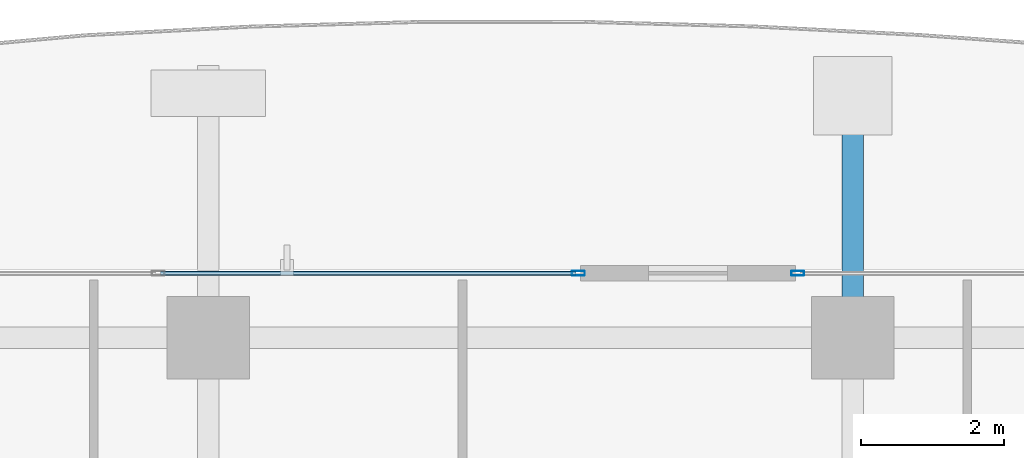
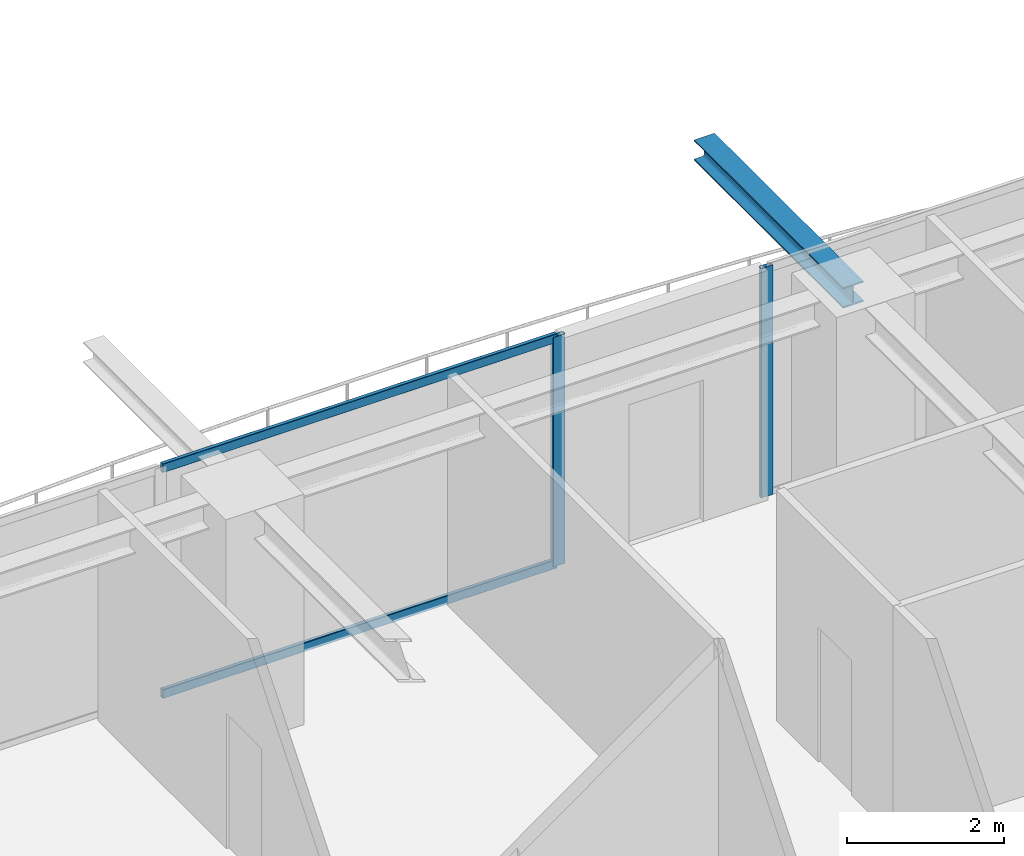
# One storey, part 21 of 38: 4 members, 1 beam, 2 elements without a shape of their own.
"""IFC4 building model written with IfcOpenShell, lengths in metres."""

import ifcopenshell
import ifcopenshell.guid

model = None  # the IFC model being written
_history = None  # IfcOwnerHistory: only IFC2X3 demands one
_inside = {}  # id of a spatial element -> (the spatial element, [elements in it])
_under = {}  # id of a project, library or spatial element -> (it, [spatial elements below it])
_declared = {}  # id of a project -> (the project, [libraries it declares])
_typed = {}  # id of a type object -> (the type object, [elements of that type])
_made_of = {}  # id of a material, layer set ... -> (it, [elements and type objects made of it])


def new_model(schema):
    """Start an empty IFC model of exactly this schema.

    Asked for "IFC4X3", IfcOpenShell would pick the latest addendum, in which some entities
    have other attributes; the version numbers below select the first issue.
    IFC2X3 requires an IfcOwnerHistory on every rooted entity: one is made here for all.
    """
    global model, _history
    if schema == "IFC4X3":
        model = ifcopenshell.file(schema_version=(4, 3, 0, 0))
    else:
        model = ifcopenshell.file(schema=schema)
    _inside.clear()
    _under.clear()
    _declared.clear()
    _typed.clear()
    _made_of.clear()
    _history = None
    if model.schema == "IFC2X3":
        org = make("IfcOrganization", Name="unknown")
        user = make(
            "IfcPersonAndOrganization",
            ThePerson=make("IfcPerson", FamilyName="unknown"),
            TheOrganization=org,
        )
        app = make(
            "IfcApplication",
            ApplicationDeveloper=org,
            Version="unknown",
            ApplicationFullName="unknown",
            ApplicationIdentifier="unknown",
        )
        _history = make(
            "IfcOwnerHistory",
            OwningUser=user,
            OwningApplication=app,
            ChangeAction="ADDED",
            CreationDate=0,
        )
    return model


def make(cls, **values):
    """One entity of the class cls with the attributes given. An attribute that is None is left unset."""
    return model.create_entity(
        cls, **{name: value for name, value in values.items() if value is not None}
    )


def rooted(cls, **values):
    """An entity with a GlobalId (a new one), such as an element, a storey or a relation."""
    return make(cls, GlobalId=ifcopenshell.guid.new(), OwnerHistory=_history, **values)


def si_unit(unit_type, name, prefix=None):
    """IfcSIUnit, for example si_unit("LENGTHUNIT", "METRE", prefix="MILLI")."""
    return make("IfcSIUnit", UnitType=unit_type, Prefix=prefix, Name=name)


def assignment(units):
    """IfcUnitAssignment: the units of a project."""
    return None if units is None else make("IfcUnitAssignment", Units=units)


def point(xyz):
    """IfcCartesianPoint."""
    return None if xyz is None else make("IfcCartesianPoint", Coordinates=xyz)


def direction(xyz):
    """IfcDirection."""
    return None if xyz is None else make("IfcDirection", DirectionRatios=xyz)


def frame(location, z_axis=None, x_axis=None):
    """IfcAxis2Placement3D, a coordinate frame: its origin and axes. An axis left out is left unset."""
    return make(
        "IfcAxis2Placement3D",
        Location=point(location),
        Axis=direction(z_axis),
        RefDirection=direction(x_axis),
    )


def frame_2d(location, x_axis=None):
    """IfcAxis2Placement2D, a coordinate frame in the plane: its origin and x axis."""
    return make(
        "IfcAxis2Placement2D", Location=point(location), RefDirection=direction(x_axis)
    )


def origin():
    """The frame at (0, 0, 0) with its axes left unset."""
    return frame((0.0, 0.0, 0.0))


def origin_2d():
    """The frame at (0, 0) in the plane with its x axis left unset."""
    return frame_2d((0.0, 0.0))


def place(relative_to, where):
    """IfcLocalPlacement: puts the frame where relative to a parent placement (None: the world)."""
    return make(
        "IfcLocalPlacement", PlacementRelTo=relative_to, RelativePlacement=where
    )


def context(
    kind, dimensions, precision=None, world=None, true_north=None, identifier=None
):
    """IfcGeometricRepresentationContext, for example the 3D "Model" context."""
    return make(
        "IfcGeometricRepresentationContext",
        ContextIdentifier=identifier,
        ContextType=kind,
        CoordinateSpaceDimension=dimensions,
        Precision=precision,
        WorldCoordinateSystem=world,
        TrueNorth=true_north,
    )


def subcontext(parent, identifier, kind, view, scale=None):
    """IfcGeometricRepresentationSubContext, for example "Body" below "Model"."""
    return make(
        "IfcGeometricRepresentationSubContext",
        ContextIdentifier=identifier,
        ContextType=kind,
        ParentContext=parent,
        TargetScale=scale,
        TargetView=view,
    )


def project(units=None, contexts=None):
    """IfcProject with its units and contexts."""
    return rooted(
        "IfcProject",
        Name="project",
        RepresentationContexts=contexts,
        UnitsInContext=assignment(units),
    )


def spatial(cls, under=None, at=None, **own):
    """A site, building, storey or space (cls), placed at a placement, below another one or the project."""
    s = rooted(cls, ObjectPlacement=at, **own)
    if under is not None:
        _under.setdefault(under.id(), (under, []))[1].append(s)
    return s


def profile(cls, at=None, kind="AREA", **sizes):
    """A parametric profile (cls). Its sizes go by their IFC names, for example OverallWidth=200.0."""
    return make(cls, ProfileType=kind, Position=at, **sizes)


def hollow_rectangle(**sizes):
    """IfcRectangleHollowProfileDef."""
    return profile("IfcRectangleHollowProfileDef", **sizes)


def i_section(**sizes):
    """IfcIShapeProfileDef."""
    return profile("IfcIShapeProfileDef", **sizes)


def extrude(swept, where, along, depth):
    """IfcExtrudedAreaSolid: the profile swept, set in the frame where, extruded along a direction by depth."""
    return make(
        "IfcExtrudedAreaSolid",
        SweptArea=swept,
        Position=where,
        ExtrudedDirection=direction(along),
        Depth=depth,
    )


def shape(context_of_items, identifier, shape_type, items):
    """IfcShapeRepresentation: the items that make up one representation, for example the "Body"."""
    return make(
        "IfcShapeRepresentation",
        ContextOfItems=context_of_items,
        RepresentationIdentifier=identifier,
        RepresentationType=shape_type,
        Items=items,
    )


def source(mapping_origin, context_of_items, identifier, shape_type, items):
    """IfcRepresentationMap: a shape defined once, which mapped items show again and again."""
    return make(
        "IfcRepresentationMap",
        MappingOrigin=mapping_origin,
        MappedRepresentation=shape(context_of_items, identifier, shape_type, items),
    )


def transform(
    local_origin,
    x_axis=None,
    y_axis=None,
    z_axis=None,
    scale=None,
    scale2=None,
    scale3=None,
    uniform=True,
):
    """IfcCartesianTransformationOperator3D, or its non-uniform kind. x_axis, y_axis, z_axis: its Axis1, 2, 3."""
    if uniform:
        return make(
            "IfcCartesianTransformationOperator3D",
            Axis1=direction(x_axis),
            Axis2=direction(y_axis),
            LocalOrigin=point(local_origin),
            Scale=scale,
            Axis3=direction(z_axis),
        )
    return make(
        "IfcCartesianTransformationOperator3DnonUniform",
        Axis1=direction(x_axis),
        Axis2=direction(y_axis),
        LocalOrigin=point(local_origin),
        Scale=scale,
        Axis3=direction(z_axis),
        Scale2=scale2,
        Scale3=scale3,
    )


def mapped(mapping_source, mapping_target):
    """IfcMappedItem: shows the shape of a source again, moved by a transform."""
    return make(
        "IfcMappedItem", MappingSource=mapping_source, MappingTarget=mapping_target
    )


def material(Name=None, Category=None):
    """IfcMaterial."""
    return make("IfcMaterial", Name=Name, Category=Category)


def layer(
    of_material, thickness, ventilated=None, Name=None, Category=None, Priority=None
):
    """IfcMaterialLayer: one layer of a wall or slab, of a material (None: an air gap)."""
    return make(
        "IfcMaterialLayer",
        Material=of_material,
        LayerThickness=thickness,
        IsVentilated=ventilated,
        Name=Name,
        Category=Category,
        Priority=Priority,
    )


def layer_set(layers, Name=None):
    """IfcMaterialLayerSet."""
    return make("IfcMaterialLayerSet", MaterialLayers=layers, LayerSetName=Name)


def material_profile(
    of_material, cross_section, Name=None, Category=None, Priority=None
):
    """IfcMaterialProfile: a cross section and its material."""
    return make(
        "IfcMaterialProfile",
        Name=Name,
        Material=of_material,
        Profile=cross_section,
        Priority=Priority,
        Category=Category,
    )


def profile_set(profiles, Name=None, composite=None):
    """IfcMaterialProfileSet."""
    return make(
        "IfcMaterialProfileSet",
        Name=Name,
        MaterialProfiles=profiles,
        CompositeProfile=composite,
    )


def made_of(thing, what):
    """Note that an element or type object is made of a material, layer set ...; save() writes the relation."""
    if what is not None:
        _made_of.setdefault(what.id(), (what, []))[1].append(thing)
    return thing


def type_object(cls, material=None, **own):
    """A type object (cls), such as IfcWallType, which elements share."""
    return made_of(rooted(cls, **own), material)


def element(
    cls,
    number,
    at=None,
    inside=None,
    cuts=None,
    type_object=None,
    material=None,
    context=None,
    identifier="Body",
    shape_type=None,
    held_by="IfcProductDefinitionShape",
    body=None,
    shapes=None,
    **own,
):
    """One element of the class cls, such as IfcWall. Its Tag is "e" and its number.

    at: its placement. inside: the storey or other place that contains it. cuts: it is an
    opening in that element (IfcRelVoidsElement). A single representation is given by context,
    identifier, shape_type and body (its items); several are given by shapes. held_by: the class
    of the entity that holds the representations. save() writes the other relations.
    """
    e = rooted(cls, Tag="e%d" % number, ObjectPlacement=at, **own)
    if body is not None:
        shapes = [shape(context, identifier, shape_type, body)]
    if shapes is not None:
        e.Representation = make(held_by, Representations=shapes)
    if inside is not None:
        _inside.setdefault(inside.id(), (inside, []))[1].append(e)
    if cuts is not None:
        rooted(
            "IfcRelVoidsElement", RelatingBuildingElement=cuts, RelatedOpeningElement=e
        )
    if type_object is not None:
        _typed.setdefault(type_object.id(), (type_object, []))[1].append(e)
    return made_of(e, material)


def aggregate(whole, parts):
    """IfcRelAggregates: a whole, such as a stair, and the parts it consists of."""
    return rooted("IfcRelAggregates", RelatingObject=whole, RelatedObjects=parts)


def save(model, path):
    """Write the relations noted so far, then the file.

    IfcRelAggregates (storeys below a building ...), IfcRelContainedInSpatialStructure (elements
    in a storey), IfcRelDefinesByType, IfcRelAssociatesMaterial and IfcRelDeclares: one each for
    every whole, place, type object, material and project.
    """
    for whole, parts in _under.values():
        aggregate(whole, parts)
    for where, things in _inside.values():
        rooted(
            "IfcRelContainedInSpatialStructure",
            RelatedElements=things,
            RelatingStructure=where,
        )
    for kind, things in _typed.values():
        rooted("IfcRelDefinesByType", RelatedObjects=things, RelatingType=kind)
    for what, things in _made_of.values():
        rooted("IfcRelAssociatesMaterial", RelatedObjects=things, RelatingMaterial=what)
    for by, libraries in _declared.values():
        rooted("IfcRelDeclares", RelatingContext=by, RelatedDefinitions=libraries)
    model.write(path)


model = new_model("IFC4")

# Units and contexts
model_context = context("Model", 3, precision=1e-05, world=origin(), true_north=direction((0.0, 1.0)))
body_context = subcontext(model_context, "Body", "Model", "MODEL_VIEW")
ifc_project = project(units=[si_unit("LENGTHUNIT", "METRE"), si_unit("AREAUNIT", "SQUARE_METRE"), si_unit("VOLUMEUNIT", "CUBIC_METRE"), si_unit("PLANEANGLEUNIT", "RADIAN"), si_unit("MASSUNIT", "GRAM", prefix="KILO")], contexts=[model_context])

# Site, building, storey
site_placement = place(None, origin())
site = spatial("IfcSite", under=ifc_project, at=site_placement, CompositionType="ELEMENT")
building_placement = place(site_placement, origin())
building = spatial("IfcBuilding", under=site, at=building_placement, Name="Serunith Strait Residences", CompositionType="ELEMENT")
storey_placement = place(building_placement, frame((0.0, 0.0, 264.35009765625)))
storey = spatial("IfcBuildingStorey", under=building, at=storey_placement, Name="L66", CompositionType="ELEMENT", Elevation=264.35009765625)

# Beam
ifc_material_1 = material(Name="Steel S355J2", Category="steel")
ifc_material_profile_1 = material_profile(ifc_material_1, i_section(OverallWidth=0.300048828125, OverallDepth=0.320068359375, WebThickness=0.011474609375, FlangeThickness=0.0205078125, FilletRadius=0.027099609375, at=origin_2d()), Name="HEB 320")
ifc_profile_set_1 = profile_set([ifc_material_profile_1], Name="Steel S355J2")
beam_type = type_object("IfcBeamType", Name="BM-HEB320", PredefinedType="BEAM", material=ifc_profile_set_1)
shared_shape_1 = source(origin(), body_context, "Body", "SweptSolid", [
    extrude(i_section(OverallWidth=0.300048828125, OverallDepth=0.320068359375, WebThickness=0.011474609375, FlangeThickness=0.0205078125, FilletRadius=0.027099609375, at=origin_2d()), origin(), (0.0, 0.0, 1.0), 3.800048828125),
])
beam_placement = place(storey_placement, frame((36.89990234375, 48.300048828125, 3.39697265625), z_axis=(0.0, 1.0, 0.0), x_axis=(-1.0, 0.0, 0.0)))
element("IfcBeam", 1, at=beam_placement, inside=storey, type_object=beam_type, Name="L67 Cantilevered Balcony Rib TC-N3", PredefinedType="BEAM", context=body_context, shape_type="MappedRepresentation", body=[
    mapped(shared_shape_1, transform((0.0, 0.0, 0.0), scale=1.0)),
])

# Curtain wall, member
ifc_material_2 = material(Name="Pale-Champagne Anodised Aluminium", Category="aluminium")
ifc_layer = layer(ifc_material_2, 0.199951171875, Name="Pale-Champagne Anodised Aluminium")
ifc_layer_set = layer_set([ifc_layer], Name="Pale-Champagne Anodised Aluminium")
curtain_wall_type = type_object("IfcCurtainWallType", Name="CW-SYS4", PredefinedType="NOTDEFINED", material=ifc_layer_set)
curtain_wall_1_placement = place(storey_placement, origin())
curtain_wall_1 = element("IfcCurtainWall", 2, at=curtain_wall_1_placement, inside=storey, type_object=curtain_wall_type, Name="L66 N Unitised Fritted Curtain Wall", PredefinedType="NOTDEFINED")
ifc_material_profile_2 = material_profile(ifc_material_2, hollow_rectangle(XDim=0.06494140625, YDim=0.179931640625, WallThickness=0.00341796875, InnerFilletRadius=0.00537109375, OuterFilletRadius=0.0087890625, at=origin_2d()), Name="ALU 180x65x3.5")
ifc_profile_set_2 = profile_set([ifc_material_profile_2], Name="Pale-Champagne Anodised Aluminium")
member_type_1 = type_object("IfcMemberType", Name="CW-SYS4-MULL", PredefinedType="MULLION", material=ifc_profile_set_2)
shared_shape_2 = source(origin(), body_context, "Body", "SweptSolid", [
    extrude(hollow_rectangle(XDim=0.06494140625, YDim=0.179931640625, WallThickness=0.00341796875, InnerFilletRadius=0.00537109375, OuterFilletRadius=0.0087890625, at=origin_2d()), origin(), (0.0, 0.0, 1.0), 3.574951171875),
])
member_1_placement = place(storey_placement, frame((36.132568359375, 49.199951171875, 0.0), z_axis=(0.0, 0.0, 1.0), x_axis=(0.0, -1.0, 0.0)))
member_1 = element("IfcMember", 3, at=member_1_placement, type_object=member_type_1, Name="CW-4 mullion 3", PredefinedType="MULLION", context=body_context, shape_type="MappedRepresentation", body=[
    mapped(shared_shape_2, transform((0.0, 0.0, 0.0), scale=1.0)),
])
aggregate(curtain_wall_1, [member_1])

# Curtain wall, members
curtain_wall_2_placement = place(storey_placement, origin())
curtain_wall_2 = element("IfcCurtainWall", 4, at=curtain_wall_2_placement, inside=storey, type_object=curtain_wall_type, Name="L66 N Unitised Fritted Curtain Wall", PredefinedType="NOTDEFINED")
member_2_placement = place(storey_placement, frame((33.0673828125, 49.199951171875, 0.0), z_axis=(0.0, 0.0, 1.0), x_axis=(0.0, -1.0, 0.0)))
member_2 = element("IfcMember", 5, at=member_2_placement, type_object=member_type_1, Name="CW-4 mullion 1", PredefinedType="MULLION", context=body_context, shape_type="MappedRepresentation", body=[
    mapped(shared_shape_2, transform((0.0, 0.0, 0.0), scale=1.0)),
])
ifc_material_profile_3 = material_profile(ifc_material_2, hollow_rectangle(XDim=0.06005859375, YDim=0.139892578125, WallThickness=0.00341796875, InnerFilletRadius=0.00537109375, OuterFilletRadius=0.0087890625, at=origin_2d()), Name="ALU 140x60x3.5")
ifc_profile_set_3 = profile_set([ifc_material_profile_3], Name="Pale-Champagne Anodised Aluminium")
member_type_2 = type_object("IfcMemberType", Name="CW-SYS4-TRAN", PredefinedType="USERDEFINED", material=ifc_profile_set_3)
shared_shape_3 = source(origin(), body_context, "Body", "SweptSolid", [
    extrude(hollow_rectangle(XDim=0.06005859375, YDim=0.139892578125, WallThickness=0.00341796875, InnerFilletRadius=0.00537109375, OuterFilletRadius=0.0087890625, at=origin_2d()), origin(), (0.0, 0.0, 1.0), 5.802490234375),
])
member_3_placement = place(storey_placement, frame((33.034912109375, 49.199951171875, 0.02978515625), z_axis=(-1.0, 0.0, 0.0), x_axis=(0.0, -1.0, 0.0)))
member_3 = element("IfcMember", 6, at=member_3_placement, type_object=member_type_2, Name="CW-4 transom 1.1", ObjectType="TRANSOM", PredefinedType="USERDEFINED", context=body_context, shape_type="MappedRepresentation", body=[
    mapped(shared_shape_3, transform((0.0, 0.0, 0.0), scale=1.0)),
])
member_4_placement = place(storey_placement, frame((33.034912109375, 49.199951171875, 3.544921875), z_axis=(-1.0, 0.0, 0.0), x_axis=(0.0, -1.0, 0.0)))
member_4 = element("IfcMember", 7, at=member_4_placement, type_object=member_type_2, Name="CW-4 transom 1.2", ObjectType="TRANSOM", PredefinedType="USERDEFINED", context=body_context, shape_type="MappedRepresentation", body=[
    mapped(shared_shape_3, transform((0.0, 0.0, 0.0), scale=1.0)),
])
aggregate(curtain_wall_2, [member_2, member_3, member_4])

save(model, "model.ifc")
